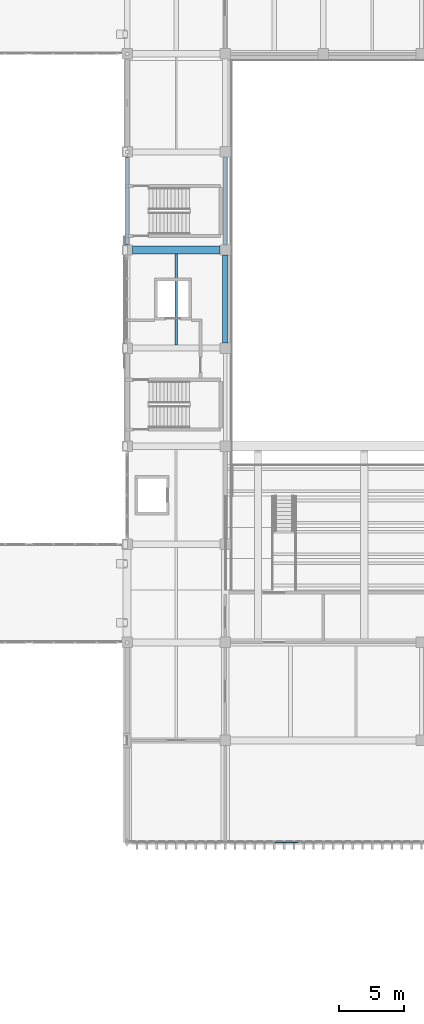
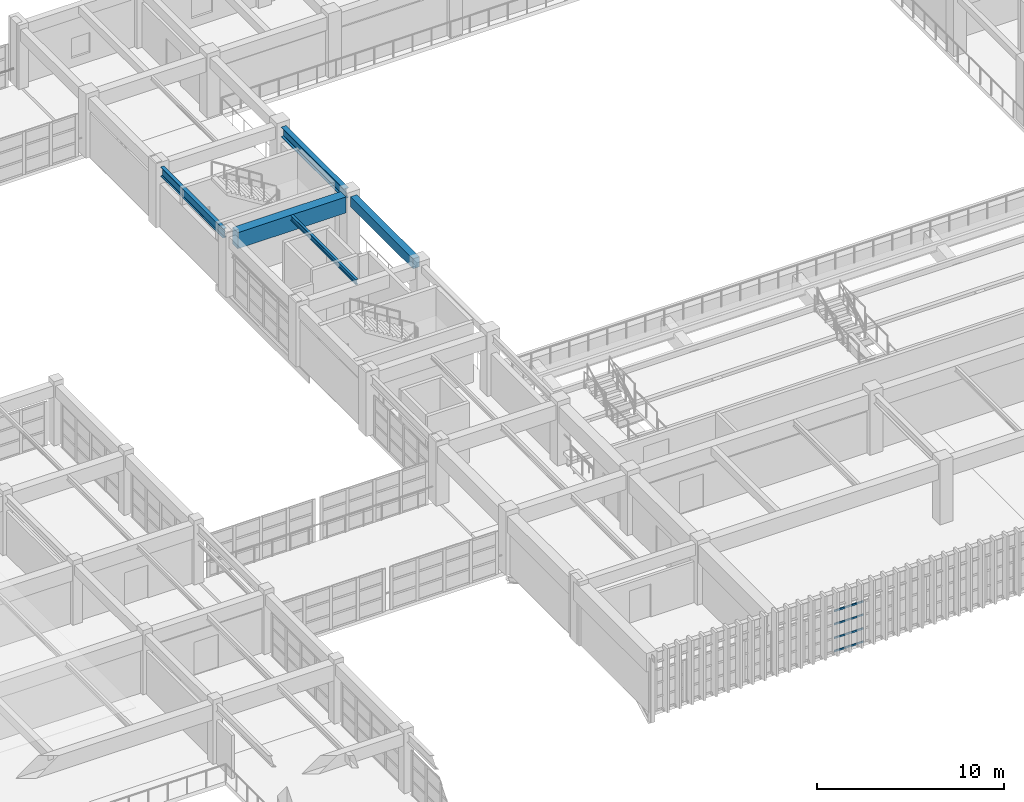
# One storey, part 28 of 124: 5 beams, 4 members, 1 element without a shape of its own.
"""IFC4 building model written with IfcOpenShell, lengths in metres."""

import ifcopenshell
import ifcopenshell.guid

model = None  # the IFC model being written
_history = None  # IfcOwnerHistory: only IFC2X3 demands one
_inside = {}  # id of a spatial element -> (the spatial element, [elements in it])
_under = {}  # id of a project, library or spatial element -> (it, [spatial elements below it])
_declared = {}  # id of a project -> (the project, [libraries it declares])
_typed = {}  # id of a type object -> (the type object, [elements of that type])
_made_of = {}  # id of a material, layer set ... -> (it, [elements and type objects made of it])


def new_model(schema):
    """Start an empty IFC model of exactly this schema.

    Asked for "IFC4X3", IfcOpenShell would pick the latest addendum, in which some entities
    have other attributes; the version numbers below select the first issue.
    IFC2X3 requires an IfcOwnerHistory on every rooted entity: one is made here for all.
    """
    global model, _history
    if schema == "IFC4X3":
        model = ifcopenshell.file(schema_version=(4, 3, 0, 0))
    else:
        model = ifcopenshell.file(schema=schema)
    _inside.clear()
    _under.clear()
    _declared.clear()
    _typed.clear()
    _made_of.clear()
    _history = None
    if model.schema == "IFC2X3":
        org = make("IfcOrganization", Name="unknown")
        user = make(
            "IfcPersonAndOrganization",
            ThePerson=make("IfcPerson", FamilyName="unknown"),
            TheOrganization=org,
        )
        app = make(
            "IfcApplication",
            ApplicationDeveloper=org,
            Version="unknown",
            ApplicationFullName="unknown",
            ApplicationIdentifier="unknown",
        )
        _history = make(
            "IfcOwnerHistory",
            OwningUser=user,
            OwningApplication=app,
            ChangeAction="ADDED",
            CreationDate=0,
        )
    return model


def make(cls, **values):
    """One entity of the class cls with the attributes given. An attribute that is None is left unset."""
    return model.create_entity(
        cls, **{name: value for name, value in values.items() if value is not None}
    )


def rooted(cls, **values):
    """An entity with a GlobalId (a new one), such as an element, a storey or a relation."""
    return make(cls, GlobalId=ifcopenshell.guid.new(), OwnerHistory=_history, **values)


def si_unit(unit_type, name, prefix=None):
    """IfcSIUnit, for example si_unit("LENGTHUNIT", "METRE", prefix="MILLI")."""
    return make("IfcSIUnit", UnitType=unit_type, Prefix=prefix, Name=name)


def assignment(units):
    """IfcUnitAssignment: the units of a project."""
    return None if units is None else make("IfcUnitAssignment", Units=units)


def point(xyz):
    """IfcCartesianPoint."""
    return None if xyz is None else make("IfcCartesianPoint", Coordinates=xyz)


def direction(xyz):
    """IfcDirection."""
    return None if xyz is None else make("IfcDirection", DirectionRatios=xyz)


def frame(location, z_axis=None, x_axis=None):
    """IfcAxis2Placement3D, a coordinate frame: its origin and axes. An axis left out is left unset."""
    return make(
        "IfcAxis2Placement3D",
        Location=point(location),
        Axis=direction(z_axis),
        RefDirection=direction(x_axis),
    )


def frame_2d(location, x_axis=None):
    """IfcAxis2Placement2D, a coordinate frame in the plane: its origin and x axis."""
    return make(
        "IfcAxis2Placement2D", Location=point(location), RefDirection=direction(x_axis)
    )


def origin():
    """The frame at (0, 0, 0) with its axes left unset."""
    return frame((0.0, 0.0, 0.0))


def origin_2d():
    """The frame at (0, 0) in the plane with its x axis left unset."""
    return frame_2d((0.0, 0.0))


def place(relative_to, where):
    """IfcLocalPlacement: puts the frame where relative to a parent placement (None: the world)."""
    return make(
        "IfcLocalPlacement", PlacementRelTo=relative_to, RelativePlacement=where
    )


def context(
    kind, dimensions, precision=None, world=None, true_north=None, identifier=None
):
    """IfcGeometricRepresentationContext, for example the 3D "Model" context."""
    return make(
        "IfcGeometricRepresentationContext",
        ContextIdentifier=identifier,
        ContextType=kind,
        CoordinateSpaceDimension=dimensions,
        Precision=precision,
        WorldCoordinateSystem=world,
        TrueNorth=true_north,
    )


def subcontext(parent, identifier, kind, view, scale=None):
    """IfcGeometricRepresentationSubContext, for example "Body" below "Model"."""
    return make(
        "IfcGeometricRepresentationSubContext",
        ContextIdentifier=identifier,
        ContextType=kind,
        ParentContext=parent,
        TargetScale=scale,
        TargetView=view,
    )


def project(units=None, contexts=None):
    """IfcProject with its units and contexts."""
    return rooted(
        "IfcProject",
        Name="project",
        RepresentationContexts=contexts,
        UnitsInContext=assignment(units),
    )


def spatial(cls, under=None, at=None, **own):
    """A site, building, storey or space (cls), placed at a placement, below another one or the project."""
    s = rooted(cls, ObjectPlacement=at, **own)
    if under is not None:
        _under.setdefault(under.id(), (under, []))[1].append(s)
    return s


def profile(cls, at=None, kind="AREA", **sizes):
    """A parametric profile (cls). Its sizes go by their IFC names, for example OverallWidth=200.0."""
    return make(cls, ProfileType=kind, Position=at, **sizes)


def rectangle(**sizes):
    """IfcRectangleProfileDef."""
    return profile("IfcRectangleProfileDef", **sizes)


def hollow_rectangle(**sizes):
    """IfcRectangleHollowProfileDef."""
    return profile("IfcRectangleHollowProfileDef", **sizes)


def i_section(**sizes):
    """IfcIShapeProfileDef."""
    return profile("IfcIShapeProfileDef", **sizes)


def extrude(swept, where, along, depth):
    """IfcExtrudedAreaSolid: the profile swept, set in the frame where, extruded along a direction by depth."""
    return make(
        "IfcExtrudedAreaSolid",
        SweptArea=swept,
        Position=where,
        ExtrudedDirection=direction(along),
        Depth=depth,
    )


def shape(context_of_items, identifier, shape_type, items):
    """IfcShapeRepresentation: the items that make up one representation, for example the "Body"."""
    return make(
        "IfcShapeRepresentation",
        ContextOfItems=context_of_items,
        RepresentationIdentifier=identifier,
        RepresentationType=shape_type,
        Items=items,
    )


def material(Name=None, Category=None):
    """IfcMaterial."""
    return make("IfcMaterial", Name=Name, Category=Category)


def material_profile(
    of_material, cross_section, Name=None, Category=None, Priority=None
):
    """IfcMaterialProfile: a cross section and its material."""
    return make(
        "IfcMaterialProfile",
        Name=Name,
        Material=of_material,
        Profile=cross_section,
        Priority=Priority,
        Category=Category,
    )


def profile_set(profiles, Name=None, composite=None):
    """IfcMaterialProfileSet."""
    return make(
        "IfcMaterialProfileSet",
        Name=Name,
        MaterialProfiles=profiles,
        CompositeProfile=composite,
    )


def made_of(thing, what):
    """Note that an element or type object is made of a material, layer set ...; save() writes the relation."""
    if what is not None:
        _made_of.setdefault(what.id(), (what, []))[1].append(thing)
    return thing


def type_object(cls, material=None, **own):
    """A type object (cls), such as IfcWallType, which elements share."""
    return made_of(rooted(cls, **own), material)


def element(
    cls,
    number,
    at=None,
    inside=None,
    cuts=None,
    type_object=None,
    material=None,
    context=None,
    identifier="Body",
    shape_type=None,
    held_by="IfcProductDefinitionShape",
    body=None,
    shapes=None,
    **own,
):
    """One element of the class cls, such as IfcWall. Its Tag is "e" and its number.

    at: its placement. inside: the storey or other place that contains it. cuts: it is an
    opening in that element (IfcRelVoidsElement). A single representation is given by context,
    identifier, shape_type and body (its items); several are given by shapes. held_by: the class
    of the entity that holds the representations. save() writes the other relations.
    """
    e = rooted(cls, Tag="e%d" % number, ObjectPlacement=at, **own)
    if body is not None:
        shapes = [shape(context, identifier, shape_type, body)]
    if shapes is not None:
        e.Representation = make(held_by, Representations=shapes)
    if inside is not None:
        _inside.setdefault(inside.id(), (inside, []))[1].append(e)
    if cuts is not None:
        rooted(
            "IfcRelVoidsElement", RelatingBuildingElement=cuts, RelatedOpeningElement=e
        )
    if type_object is not None:
        _typed.setdefault(type_object.id(), (type_object, []))[1].append(e)
    return made_of(e, material)


def aggregate(whole, parts):
    """IfcRelAggregates: a whole, such as a stair, and the parts it consists of."""
    return rooted("IfcRelAggregates", RelatingObject=whole, RelatedObjects=parts)


def save(model, path):
    """Write the relations noted so far, then the file.

    IfcRelAggregates (storeys below a building ...), IfcRelContainedInSpatialStructure (elements
    in a storey), IfcRelDefinesByType, IfcRelAssociatesMaterial and IfcRelDeclares: one each for
    every whole, place, type object, material and project.
    """
    for whole, parts in _under.values():
        aggregate(whole, parts)
    for where, things in _inside.values():
        rooted(
            "IfcRelContainedInSpatialStructure",
            RelatedElements=things,
            RelatingStructure=where,
        )
    for kind, things in _typed.values():
        rooted("IfcRelDefinesByType", RelatedObjects=things, RelatingType=kind)
    for what, things in _made_of.values():
        rooted("IfcRelAssociatesMaterial", RelatedObjects=things, RelatingMaterial=what)
    for by, libraries in _declared.values():
        rooted("IfcRelDeclares", RelatingContext=by, RelatedDefinitions=libraries)
    model.write(path)


model = new_model("IFC4")

# Units and contexts
model_context = context("Model", 3, precision=1e-05, world=origin(), true_north=direction((0.0, 1.0)))
body_context = subcontext(model_context, "Body", "Model", "MODEL_VIEW")
ifc_project = project(units=[si_unit("LENGTHUNIT", "METRE"), si_unit("AREAUNIT", "SQUARE_METRE"), si_unit("VOLUMEUNIT", "CUBIC_METRE"), si_unit("PLANEANGLEUNIT", "RADIAN"), si_unit("MASSUNIT", "GRAM", prefix="KILO")], contexts=[model_context])

# Site, building, storey
site_placement = place(None, origin())
site = spatial("IfcSite", under=ifc_project, at=site_placement, CompositionType="ELEMENT")
building_placement = place(site_placement, origin())
building = spatial("IfcBuilding", under=site, at=building_placement, Name="Qasida Concert Hall", CompositionType="ELEMENT")
storey_placement = place(building_placement, frame((0.0, 0.0, 9.0)))
storey = spatial("IfcBuildingStorey", under=building, at=storey_placement, Name="L02", CompositionType="ELEMENT", Elevation=9.0)

# Beams
ifc_material_1 = material(Name="Concrete C40/50", Category="concrete")
ifc_material_profile_1 = material_profile(ifc_material_1, rectangle(XDim=0.39990234375, YDim=0.64990234375, at=origin_2d()), Name="RC 400x650")
ifc_profile_set_1 = profile_set([ifc_material_profile_1], Name="Concrete C40/50")
beam_type_1 = type_object("IfcBeamType", Name="BM-B1", PredefinedType="BEAM", material=ifc_profile_set_1)
beam_1_placement = place(storey_placement, frame((60.0, 52.89990234375, 3.574951171875), z_axis=(0.0, 1.0, 0.0), x_axis=(-1.0, 0.0, 0.0)))
element("IfcBeam", 1, at=beam_1_placement, inside=storey, type_object=beam_type_1, Name="L02 girder 1179", PredefinedType="BEAM", context=body_context, shape_type="SweptSolid", body=[
    extrude(rectangle(XDim=0.39990234375, YDim=0.64990234375, at=origin_2d()), origin(), (0.0, 0.0, 1.0), 6.7001953125),
])
ifc_material_2 = material(Name="Steel S355J2", Category="steel")
ifc_material_profile_2 = material_profile(ifc_material_2, i_section(OverallWidth=0.300048828125, OverallDepth=0.64990234375, WebThickness=0.01611328125, FlangeThickness=0.031005859375, FilletRadius=0.027099609375, at=origin_2d()), Name="HEB 650")
ifc_profile_set_2 = profile_set([ifc_material_profile_2], Name="Steel S355J2")
beam_type_2 = type_object("IfcBeamType", Name="BM-B13", PredefinedType="BEAM", material=ifc_profile_set_2)
beam_2_placement = place(storey_placement, frame((60.0, 60.39990234375, 3.574951171875), z_axis=(0.0, 1.0, 0.0), x_axis=(-1.0, 0.0, 0.0)))
element("IfcBeam", 2, at=beam_2_placement, inside=storey, type_object=beam_type_2, Name="L02 girder 1180", PredefinedType="BEAM", context=body_context, shape_type="SweptSolid", body=[
    extrude(i_section(OverallWidth=0.300048828125, OverallDepth=0.64990234375, WebThickness=0.01611328125, FlangeThickness=0.031005859375, FilletRadius=0.027099609375, at=origin_2d()), origin(), (0.0, 0.0, 1.0), 6.7001953125),
])
ifc_material_3 = material(Name="Concrete C50/60", Category="concrete")
ifc_material_profile_3 = material_profile(ifc_material_3, rectangle(XDim=0.580078125, YDim=1.050048828125, at=origin_2d()), Name="RC 580x1050")
ifc_profile_set_3 = profile_set([ifc_material_profile_3], Name="Concrete C50/60")
beam_type_3 = type_object("IfcBeamType", Name="BM-G8", PredefinedType="USERDEFINED", material=ifc_profile_set_3)
beam_3_placement = place(storey_placement, frame((52.89990234375, 60.0, 3.375), z_axis=(1.0, 0.0, 0.0), x_axis=(0.0, 1.0, 0.0)))
element("IfcBeam", 3, at=beam_3_placement, inside=storey, type_object=beam_type_3, Name="Primary girder 1153", ObjectType="GIRDER", PredefinedType="USERDEFINED", context=body_context, shape_type="SweptSolid", body=[
    extrude(rectangle(XDim=0.580078125, YDim=1.050048828125, at=origin_2d()), origin(), (0.0, 0.0, 1.0), 6.7001953125),
])
ifc_material_profile_4 = material_profile(ifc_material_2, i_section(OverallWidth=0.159912109375, OverallDepth=0.330078125, WebThickness=0.007568359375, FlangeThickness=0.011474609375, FilletRadius=0.01806640625, at=origin_2d()), Name="IPE 330")
ifc_profile_set_4 = profile_set([ifc_material_profile_4], Name="Steel S355J2")
beam_type_4 = type_object("IfcBeamType", Name="BM-J5", PredefinedType="JOIST", material=ifc_profile_set_4)
beam_4_placement = place(storey_placement, frame((56.25, 52.739990234375, 3.735107421875), z_axis=(0.0, 1.0, 0.0), x_axis=(-1.0, 0.0, 0.0)))
element("IfcBeam", 4, at=beam_4_placement, inside=storey, type_object=beam_type_4, Name="L02 secondary joist 1204", PredefinedType="JOIST", context=body_context, shape_type="SweptSolid", body=[
    extrude(i_section(OverallWidth=0.159912109375, OverallDepth=0.330078125, WebThickness=0.007568359375, FlangeThickness=0.011474609375, FilletRadius=0.01806640625, at=origin_2d()), origin(), (0.0, 0.0, 1.0), 6.969970703125),
])
ifc_material_profile_5 = material_profile(ifc_material_2, i_section(OverallWidth=0.219970703125, OverallDepth=0.60009765625, WebThickness=0.011962890625, FlangeThickness=0.01904296875, FilletRadius=0.02392578125, at=origin_2d()), Name="IPE 600")
ifc_profile_set_5 = profile_set([ifc_material_profile_5], Name="Steel S355J2")
beam_type_5 = type_object("IfcBeamType", Name="BM-SP3", PredefinedType="SPANDREL", material=ifc_profile_set_5)
beam_5_placement = place(storey_placement, frame((52.5, 60.39990234375, 3.60009765625), z_axis=(0.0, 1.0, 0.0), x_axis=(-1.0, 0.0, 0.0)))
element("IfcBeam", 5, at=beam_5_placement, inside=storey, type_object=beam_type_5, Name="L02 girder 1174", PredefinedType="SPANDREL", context=body_context, shape_type="SweptSolid", body=[
    extrude(i_section(OverallWidth=0.219970703125, OverallDepth=0.60009765625, WebThickness=0.011962890625, FlangeThickness=0.01904296875, FilletRadius=0.02392578125, at=origin_2d()), origin(), (0.0, 0.0, 1.0), 6.7001953125),
])

# Curtain wall, members
ifc_material_4 = material(Name="Architectural bronze-anodized aluminium and low-E glass", Category="aluminium")
curtain_wall_type = type_object("IfcCurtainWallType", Name="CW-03", PredefinedType="NOTDEFINED", material=ifc_material_4)
curtain_wall_placement = place(storey_placement, origin())
curtain_wall = element("IfcCurtainWall", 6, at=curtain_wall_placement, inside=storey, type_object=curtain_wall_type, Name="L02 curtain wall CW-03 0009", PredefinedType="NOTDEFINED")
ifc_material_5 = material(Name="Architectural bronze-anodized aluminium EN AW-6063", Category="aluminium")
ifc_material_profile_6 = material_profile(ifc_material_5, hollow_rectangle(XDim=0.06005859375, YDim=0.1201171875, WallThickness=0.00390625, InnerFilletRadius=0.00390625, OuterFilletRadius=0.008056640625, at=origin_2d()), Name="CWT 120x60x4")
ifc_profile_set_6 = profile_set([ifc_material_profile_6], Name="Architectural bronze-anodized aluminium EN AW-6063")
member_type = type_object("IfcMemberType", Name="MB-CWT-2", PredefinedType="USERDEFINED", material=ifc_profile_set_6)
member_1_placement = place(storey_placement, frame((63.782470703125, 14.699951171875, 0.030029296875), z_axis=(1.0, 0.0, 0.0), x_axis=(0.0, 1.0, 0.0)))
member_1 = element("IfcMember", 7, at=member_1_placement, type_object=member_type, Name="CW-03 transom 3.1", ObjectType="TRANSOM", PredefinedType="USERDEFINED", context=body_context, shape_type="SweptSolid", body=[
    extrude(hollow_rectangle(XDim=0.06005859375, YDim=0.1201171875, WallThickness=0.00390625, InnerFilletRadius=0.00390625, OuterFilletRadius=0.008056640625, at=origin_2d()), origin(), (0.0, 0.0, 1.0), 1.800048828125),
])
member_2_placement = place(storey_placement, frame((63.782470703125, 14.699951171875, 0.896728515625), z_axis=(1.0, 0.0, 0.0), x_axis=(0.0, 1.0, 0.0)))
member_2 = element("IfcMember", 8, at=member_2_placement, type_object=member_type, Name="CW-03 transom 3.2", ObjectType="TRANSOM", PredefinedType="USERDEFINED", context=body_context, shape_type="SweptSolid", body=[
    extrude(hollow_rectangle(XDim=0.06005859375, YDim=0.1201171875, WallThickness=0.00390625, InnerFilletRadius=0.00390625, OuterFilletRadius=0.008056640625, at=origin_2d()), origin(), (0.0, 0.0, 1.0), 1.800048828125),
])
member_3_placement = place(storey_placement, frame((63.782470703125, 14.699951171875, 1.793212890625), z_axis=(1.0, 0.0, 0.0), x_axis=(0.0, 1.0, 0.0)))
member_3 = element("IfcMember", 9, at=member_3_placement, type_object=member_type, Name="CW-03 transom 3.3", ObjectType="TRANSOM", PredefinedType="USERDEFINED", context=body_context, shape_type="SweptSolid", body=[
    extrude(hollow_rectangle(XDim=0.06005859375, YDim=0.1201171875, WallThickness=0.00390625, InnerFilletRadius=0.00390625, OuterFilletRadius=0.008056640625, at=origin_2d()), origin(), (0.0, 0.0, 1.0), 1.800048828125),
])
member_4_placement = place(storey_placement, frame((63.782470703125, 14.699951171875, 2.659912109375), z_axis=(1.0, 0.0, 0.0), x_axis=(0.0, 1.0, 0.0)))
member_4 = element("IfcMember", 10, at=member_4_placement, type_object=member_type, Name="CW-03 transom 3.4", ObjectType="TRANSOM", PredefinedType="USERDEFINED", context=body_context, shape_type="SweptSolid", body=[
    extrude(hollow_rectangle(XDim=0.06005859375, YDim=0.1201171875, WallThickness=0.00390625, InnerFilletRadius=0.00390625, OuterFilletRadius=0.008056640625, at=origin_2d()), origin(), (0.0, 0.0, 1.0), 1.800048828125),
])
aggregate(curtain_wall, [member_1, member_2, member_3, member_4])

save(model, "model.ifc")
